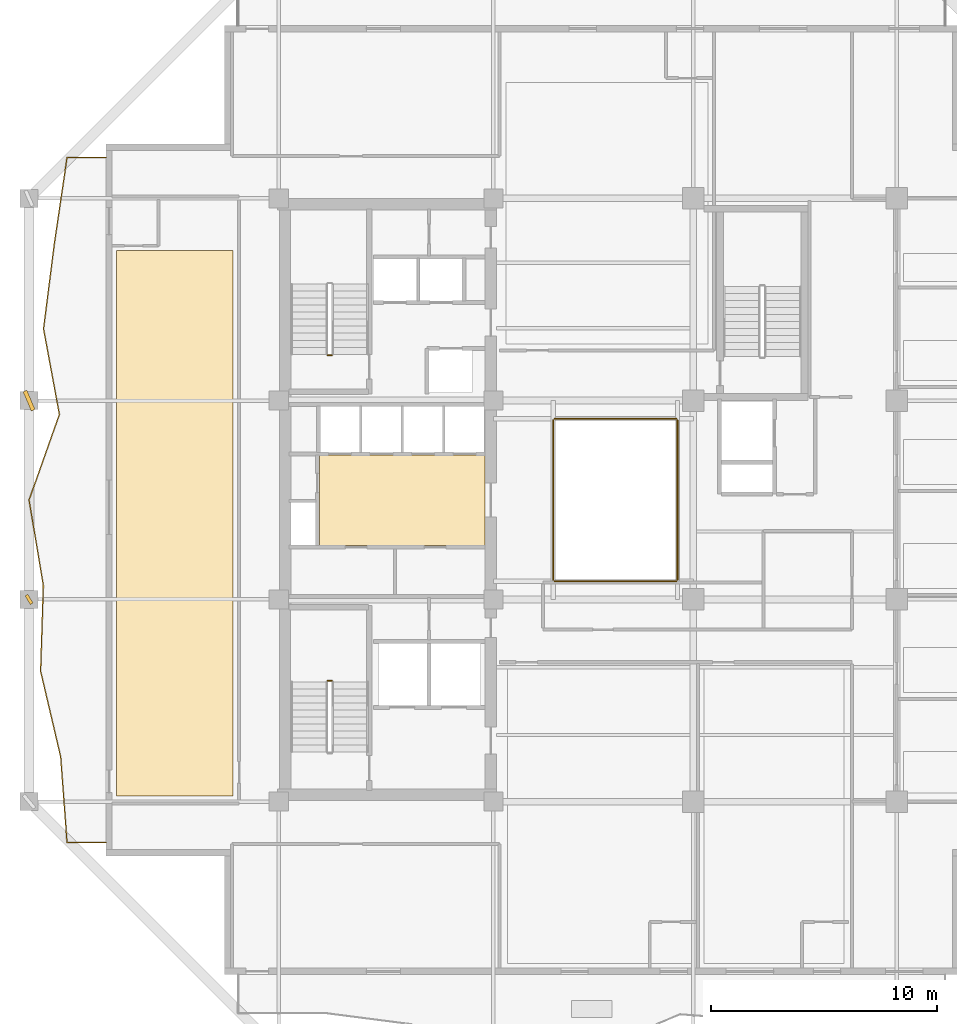
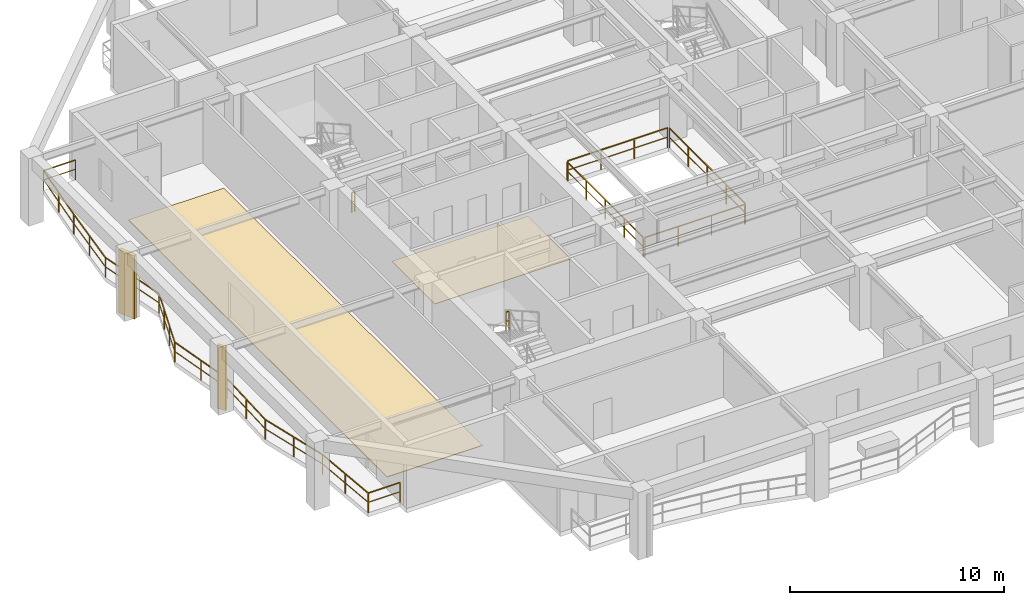
# One storey, part 9 of 13: 7 railings, 2 coverings, 2 shading devices.
"""IFC4 building model written with IfcOpenShell, lengths in metres."""

from ifc_helpers import new_model, si_unit, direction, frame, origin, origin_2d, place, context, subcontext, project, spatial, polyline, rectangle, outline, extrude, material, layer, layer_set, type_object, element, save


model = new_model("IFC4")

# Units and contexts
model_context = context("Model", 3, precision=1e-05, world=origin(), true_north=direction((0.0, 1.0)))
body_context = subcontext(model_context, "Body", "Model", "MODEL_VIEW")
ifc_project = project(units=[si_unit("LENGTHUNIT", "METRE"), si_unit("AREAUNIT", "SQUARE_METRE"), si_unit("VOLUMEUNIT", "CUBIC_METRE"), si_unit("PLANEANGLEUNIT", "RADIAN"), si_unit("MASSUNIT", "GRAM", prefix="KILO")], contexts=[model_context])

# Site, building, storey
site_placement = place(None, origin())
site = spatial("IfcSite", under=ifc_project, at=site_placement, CompositionType="ELEMENT")
building_placement = place(site_placement, origin())
building = spatial("IfcBuilding", under=site, at=building_placement, Name="Kundavana Baori Tower", CompositionType="ELEMENT")
storey_placement = place(building_placement, frame((0.0, 0.0, 188.699951171875)))
storey = spatial("IfcBuildingStorey", under=building, at=storey_placement, Name="L46", CompositionType="ELEMENT", Elevation=188.699951171875)

# Coverings
ifc_material_1 = material(Name="Honed Kota Stone and Terrazzo Flooring", Category="masonry")
ifc_layer_1 = layer(ifc_material_1, 0.0400390625, Name="COV-FLR-TERR-40")
ifc_layer_set_1 = layer_set([ifc_layer_1], Name="Honed Kota Stone and Terrazzo Flooring")
covering_type_1 = type_object("IfcCoveringType", Name="COV-FLR-TERR-40", PredefinedType="FLOORING", material=ifc_layer_set_1)
covering_1_placement = place(storey_placement, origin())
element("IfcCovering", 1, at=covering_1_placement, inside=storey, type_object=covering_type_1, Name="L46 Room Finished Stone Flooring 1", PredefinedType="FLOORING", context=body_context, shape_type="SweptSolid", body=[
    extrude(outline(polyline([(8.280029296875, 15.5), (13.419921875, 15.5), (13.419921875, 39.64990234375), (8.280029296875, 39.64990234375), (8.280029296875, 15.5)])), origin(), (0.0, 0.0, 1.0), 0.0400390625),
])
ifc_material_2 = material(Name="Honed Kota Stone and Terrazzo Flooring", Category="masonry")
ifc_layer_2 = layer(ifc_material_2, 0.030029296875, Name="COV-INT-FLR")
ifc_layer_set_2 = layer_set([ifc_layer_2], Name="Honed Kota Stone and Terrazzo Flooring")
covering_type_2 = type_object("IfcCoveringType", Name="COV-INT-FLR", PredefinedType="FLOORING", material=ifc_layer_set_2)
covering_2_placement = place(storey_placement, origin())
element("IfcCovering", 2, at=covering_2_placement, inside=storey, type_object=covering_type_2, Name="L46 Core Lift Lobby Kota Stone Flooring", PredefinedType="FLOORING", context=body_context, shape_type="SweptSolid", body=[
    extrude(outline(polyline([(17.25, 26.580078125), (24.580078125, 26.580078125), (24.580078125, 30.60009765625), (17.25, 30.60009765625), (17.25, 26.580078125)])), origin(), (0.0, 0.0, 1.0), 0.030029296875),
])

# Railings
ifc_material_3 = material(Name="Architectural Patinated Bronze Metalwork")
railing_type_1 = type_object("IfcRailingType", Name="RL-BAL-1150", PredefinedType="BALUSTRADE", material=ifc_material_3)
railing_1_placement = place(storey_placement, frame((7.800048828125, 13.449951171875, 0.0)))
element("IfcRailing", 3, at=railing_1_placement, inside=storey, type_object=railing_type_1, Name="L46 Loggia Balcony Balustrade W", PredefinedType="BALUSTRADE", context=body_context, shape_type="SweptSolid", body=[
    extrude(rectangle(XDim=0.048095703125, YDim=0.048095703125, at=origin_2d()), frame((0.0, 0.0, 1.1259765625), z_axis=(-1.0, 0.0, 0.0), x_axis=(0.0, -1.0, 0.0)), (0.0, 0.0, 1.0), 1.719970703125),
    extrude(rectangle(XDim=0.03125, YDim=0.03125, at=origin_2d()), frame((0.0, 0.0, 0.597900390625), z_axis=(-1.0, 0.0, 0.0), x_axis=(0.0, -1.0, 0.0)), (0.0, 0.0, 1.0), 1.719970703125),
    extrude(rectangle(XDim=0.048095703125, YDim=0.048095703125, at=origin_2d()), frame((-1.719970703125, 0.0, 1.1259765625), z_axis=(-0.07448956293, 0.997221793291, 0.0), x_axis=(-0.997221793291, -0.07448956293, 0.0)), (0.0, 0.0, 1.0), 3.798583984375),
    extrude(rectangle(XDim=0.03125, YDim=0.03125, at=origin_2d()), frame((-1.719970703125, 0.0, 0.597900390625), z_axis=(-0.07448956293, 0.997221793291, 0.0), x_axis=(-0.997221793291, -0.07448956293, 0.0)), (0.0, 0.0, 1.0), 3.798583984375),
    extrude(rectangle(XDim=0.048095703125, YDim=0.048095703125, at=origin_2d()), frame((-2.0029296875, 3.7880859375, 1.1259765625), z_axis=(-0.228346574312, 0.973579910434, 0.0), x_axis=(-0.973579910434, -0.228346574312, 0.0)), (0.0, 0.0, 1.0), 3.8896484375),
    extrude(rectangle(XDim=0.03125, YDim=0.03125, at=origin_2d()), frame((-2.0029296875, 3.7880859375, 0.597900390625), z_axis=(-0.228346574312, 0.973579910434, 0.0), x_axis=(-0.973579910434, -0.228346574312, 0.0)), (0.0, 0.0, 1.0), 3.8896484375),
    extrude(rectangle(XDim=0.048095703125, YDim=0.048095703125, at=origin_2d()), frame((-2.89111328125, 7.574951171875, 1.1259765625), z_axis=(0.032216378216, 0.999480917764, 0.0), x_axis=(-0.999480917764, 0.032216378216, 0.0)), (0.0, 0.0, 1.0), 3.7890625),
    extrude(rectangle(XDim=0.03125, YDim=0.03125, at=origin_2d()), frame((-2.89111328125, 7.574951171875, 0.597900390625), z_axis=(0.032216378216, 0.999480917764, 0.0), x_axis=(-0.999480917764, 0.032216378216, 0.0)), (0.0, 0.0, 1.0), 3.7890625),
    extrude(rectangle(XDim=0.048095703125, YDim=0.048095703125, at=origin_2d()), frame((-2.76904296875, 11.362060546875, 1.1259765625), z_axis=(-0.164337131822, 0.986404231086, 0.0), x_axis=(-0.986404231086, -0.164337131822, 0.0)), (0.0, 0.0, 1.0), 3.84033203125),
    extrude(rectangle(XDim=0.03125, YDim=0.03125, at=origin_2d()), frame((-2.76904296875, 11.362060546875, 0.597900390625), z_axis=(-0.164337131822, 0.986404231086, 0.0), x_axis=(-0.986404231086, -0.164337131822, 0.0)), (0.0, 0.0, 1.0), 3.84033203125),
    extrude(rectangle(XDim=0.048095703125, YDim=0.048095703125, at=origin_2d()), frame((-3.400146484375, 15.150146484375, 1.1259765625), z_axis=(0.333744790945, 0.942663468326, 0.0), x_axis=(-0.942663468326, 0.333744790945, 0.0)), (0.0, 0.0, 1.0), 4.018310546875),
    extrude(rectangle(XDim=0.03125, YDim=0.03125, at=origin_2d()), frame((-3.400146484375, 15.150146484375, 0.597900390625), z_axis=(0.333744790945, 0.942663468326, 0.0), x_axis=(-0.942663468326, 0.333744790945, 0.0)), (0.0, 0.0, 1.0), 4.018310546875),
    extrude(rectangle(XDim=0.048095703125, YDim=0.048095703125, at=origin_2d()), frame((-2.05908203125, 18.93798828125, 1.1259765625), z_axis=(-0.182236796168, 0.983254672057, 0.0), x_axis=(-0.983254672057, -0.182236796168, 0.0)), (0.0, 0.0, 1.0), 3.8515625),
    extrude(rectangle(XDim=0.03125, YDim=0.03125, at=origin_2d()), frame((-2.05908203125, 18.93798828125, 0.597900390625), z_axis=(-0.182236796168, 0.983254672057, 0.0), x_axis=(-0.983254672057, -0.182236796168, 0.0)), (0.0, 0.0, 1.0), 3.8515625),
    extrude(rectangle(XDim=0.048095703125, YDim=0.048095703125, at=origin_2d()), frame((-2.760986328125, 22.72509765625, 1.1259765625), z_axis=(0.125994516645, 0.992030937912, 0.0), x_axis=(-0.992030937912, 0.125994516645, 0.0)), (0.0, 0.0, 1.0), 3.8173828125),
    extrude(rectangle(XDim=0.03125, YDim=0.03125, at=origin_2d()), frame((-2.760986328125, 22.72509765625, 0.597900390625), z_axis=(0.125994516645, 0.992030937912, 0.0), x_axis=(-0.992030937912, 0.125994516645, 0.0)), (0.0, 0.0, 1.0), 3.8173828125),
    extrude(rectangle(XDim=0.048095703125, YDim=0.048095703125, at=origin_2d()), frame((-2.280029296875, 26.511962890625, 1.1259765625), z_axis=(0.146257514117, 0.989246551454, 0.0), x_axis=(-0.989246551454, 0.146257514117, 0.0)), (0.0, 0.0, 1.0), 3.829345703125),
    extrude(rectangle(XDim=0.03125, YDim=0.03125, at=origin_2d()), frame((-2.280029296875, 26.511962890625, 0.597900390625), z_axis=(0.146257514117, 0.989246551454, 0.0), x_axis=(-0.989246551454, 0.146257514117, 0.0)), (0.0, 0.0, 1.0), 3.829345703125),
    extrude(rectangle(XDim=0.048095703125, YDim=0.048095703125, at=origin_2d()), frame((-1.719970703125, 30.300048828125, 1.1259765625), z_axis=(1.0, 0.0, 0.0), x_axis=(0.0, 1.0, 0.0)), (0.0, 0.0, 1.0), 1.719970703125),
    extrude(rectangle(XDim=0.03125, YDim=0.03125, at=origin_2d()), frame((-1.719970703125, 30.300048828125, 0.597900390625), z_axis=(1.0, 0.0, 0.0), x_axis=(0.0, 1.0, 0.0)), (0.0, 0.0, 1.0), 1.719970703125),
    extrude(rectangle(XDim=0.0419921875, YDim=0.0419921875, at=origin_2d()), origin(), (0.0, 0.0, 1.0), 1.101806640625),
    extrude(rectangle(XDim=0.0419921875, YDim=0.0419921875, at=origin_2d()), frame((-1.719970703125, 0.0, 0.0)), (0.0, 0.0, 1.0), 1.101806640625),
    extrude(rectangle(XDim=0.0419921875, YDim=0.0419921875, at=origin_2d()), frame((-1.861328125, 1.89404296875, 0.0)), (0.0, 0.0, 1.0), 1.101806640625),
    extrude(rectangle(XDim=0.0419921875, YDim=0.0419921875, at=origin_2d()), frame((-2.0029296875, 3.7880859375, 0.0)), (0.0, 0.0, 1.0), 1.101806640625),
    extrude(rectangle(XDim=0.0419921875, YDim=0.0419921875, at=origin_2d()), frame((-2.447021484375, 5.681640625, 0.0)), (0.0, 0.0, 1.0), 1.101806640625),
    extrude(rectangle(XDim=0.0419921875, YDim=0.0419921875, at=origin_2d()), frame((-2.89111328125, 7.574951171875, 0.0)), (0.0, 0.0, 1.0), 1.101806640625),
    extrude(rectangle(XDim=0.0419921875, YDim=0.0419921875, at=origin_2d()), frame((-2.830078125, 9.468505859375, 0.0)), (0.0, 0.0, 1.0), 1.101806640625),
    extrude(rectangle(XDim=0.0419921875, YDim=0.0419921875, at=origin_2d()), frame((-2.76904296875, 11.362060546875, 0.0)), (0.0, 0.0, 1.0), 1.101806640625),
    extrude(rectangle(XDim=0.0419921875, YDim=0.0419921875, at=origin_2d()), frame((-3.08447265625, 13.256103515625, 0.0)), (0.0, 0.0, 1.0), 1.101806640625),
    extrude(rectangle(XDim=0.0419921875, YDim=0.0419921875, at=origin_2d()), frame((-3.400146484375, 15.150146484375, 0.0)), (0.0, 0.0, 1.0), 1.101806640625),
    extrude(rectangle(XDim=0.0419921875, YDim=0.0419921875, at=origin_2d()), frame((-2.953125, 16.412841796875, 0.0)), (0.0, 0.0, 1.0), 1.101806640625),
    extrude(rectangle(XDim=0.0419921875, YDim=0.0419921875, at=origin_2d()), frame((-2.506103515625, 17.67529296875, 0.0)), (0.0, 0.0, 1.0), 1.101806640625),
    extrude(rectangle(XDim=0.0419921875, YDim=0.0419921875, at=origin_2d()), frame((-2.05908203125, 18.93798828125, 0.0)), (0.0, 0.0, 1.0), 1.101806640625),
    extrude(rectangle(XDim=0.0419921875, YDim=0.0419921875, at=origin_2d()), frame((-2.41015625, 20.83154296875, 0.0)), (0.0, 0.0, 1.0), 1.101806640625),
    extrude(rectangle(XDim=0.0419921875, YDim=0.0419921875, at=origin_2d()), frame((-2.760986328125, 22.72509765625, 0.0)), (0.0, 0.0, 1.0), 1.101806640625),
    extrude(rectangle(XDim=0.0419921875, YDim=0.0419921875, at=origin_2d()), frame((-2.5205078125, 24.61865234375, 0.0)), (0.0, 0.0, 1.0), 1.101806640625),
    extrude(rectangle(XDim=0.0419921875, YDim=0.0419921875, at=origin_2d()), frame((-2.280029296875, 26.511962890625, 0.0)), (0.0, 0.0, 1.0), 1.101806640625),
    extrude(rectangle(XDim=0.0419921875, YDim=0.0419921875, at=origin_2d()), frame((-2.0, 28.406005859375, 0.0)), (0.0, 0.0, 1.0), 1.101806640625),
    extrude(rectangle(XDim=0.0419921875, YDim=0.0419921875, at=origin_2d()), frame((-1.719970703125, 30.300048828125, 0.0)), (0.0, 0.0, 1.0), 1.101806640625),
    extrude(rectangle(XDim=0.0419921875, YDim=0.0419921875, at=origin_2d()), frame((0.0, 30.300048828125, 0.0)), (0.0, 0.0, 1.0), 1.101806640625),
])
ifc_material_4 = material(Name="Architectural Patinated Bronze Metalwork")
railing_type_2 = type_object("IfcRailingType", Name="RL-GRD-1150", PredefinedType="GUARDRAIL", material=ifc_material_4)
for number, where, name in (
    (4, (17.7900390625, 20.60009765625, 1.925048828125), "L46 ST1 stair guard 2"),
    (5, (17.7900390625, 35.0, 0.0), "L46 ST2 stair guard 4"),
):
    element("IfcRailing", number, at=place(storey_placement, frame(where)), inside=storey, type_object=railing_type_2, Name=name, PredefinedType="GUARDRAIL", context=body_context, shape_type="SweptSolid", body=[
        extrude(rectangle(XDim=0.048095703125, YDim=0.048095703125, at=origin_2d()), frame((0.0, 0.0, 1.1259765625), z_axis=(-1.0, 0.0, 0.0), x_axis=(0.0, -1.0, 0.0)), (0.0, 0.0, 1.0), 0.16015625),
        extrude(rectangle(XDim=0.03125, YDim=0.03125, at=origin_2d()), frame((0.0, 0.0, 0.597900390625), z_axis=(-1.0, 0.0, 0.0), x_axis=(0.0, -1.0, 0.0)), (0.0, 0.0, 1.0), 0.16015625),
        extrude(rectangle(XDim=0.0419921875, YDim=0.0419921875, at=origin_2d()), origin(), (0.0, 0.0, 1.0), 1.101806640625),
        extrude(rectangle(XDim=0.0419921875, YDim=0.0419921875, at=origin_2d()), frame((-0.16015625, 0.0, 0.0)), (0.0, 0.0, 1.0), 1.101806640625),
    ])
railing_2_placement = place(storey_placement, frame((27.659912109375, 25.0, 0.0)))
element("IfcRailing", 6, at=railing_2_placement, inside=storey, type_object=railing_type_2, Name="L46 Atrium Void Perimeter Guardrail S", PredefinedType="GUARDRAIL", context=body_context, shape_type="SweptSolid", body=[
    extrude(rectangle(XDim=0.048095703125, YDim=0.048095703125, at=origin_2d()), frame((0.0, 0.0, 1.1259765625), z_axis=(1.0, 0.0, 0.0), x_axis=(0.0, 1.0, 0.0)), (0.0, 0.0, 1.0), 5.380126953125),
    extrude(rectangle(XDim=0.03125, YDim=0.03125, at=origin_2d()), frame((0.0, 0.0, 0.597900390625), z_axis=(1.0, 0.0, 0.0), x_axis=(0.0, 1.0, 0.0)), (0.0, 0.0, 1.0), 5.380126953125),
    extrude(rectangle(XDim=0.0419921875, YDim=0.0419921875, at=origin_2d()), origin(), (0.0, 0.0, 1.0), 1.101806640625),
    extrude(rectangle(XDim=0.0419921875, YDim=0.0419921875, at=origin_2d()), frame((1.79345703125, 0.0, 0.0)), (0.0, 0.0, 1.0), 1.101806640625),
    extrude(rectangle(XDim=0.0419921875, YDim=0.0419921875, at=origin_2d()), frame((3.586669921875, 0.0, 0.0)), (0.0, 0.0, 1.0), 1.101806640625),
    extrude(rectangle(XDim=0.0419921875, YDim=0.0419921875, at=origin_2d()), frame((5.380126953125, 0.0, 0.0)), (0.0, 0.0, 1.0), 1.101806640625),
])
railing_3_placement = place(storey_placement, frame((33.10009765625, 25.06005859375, 0.0)))
element("IfcRailing", 7, at=railing_3_placement, inside=storey, type_object=railing_type_2, Name="L46 Atrium Void Perimeter Guardrail E", PredefinedType="GUARDRAIL", context=body_context, shape_type="SweptSolid", body=[
    extrude(rectangle(XDim=0.048095703125, YDim=0.048095703125, at=origin_2d()), frame((0.0, 0.0, 1.1259765625), z_axis=(0.0, 1.0, 0.0), x_axis=(-1.0, 0.0, 0.0)), (0.0, 0.0, 1.0), 7.079833984375),
    extrude(rectangle(XDim=0.03125, YDim=0.03125, at=origin_2d()), frame((0.0, 0.0, 0.597900390625), z_axis=(0.0, 1.0, 0.0), x_axis=(-1.0, 0.0, 0.0)), (0.0, 0.0, 1.0), 7.079833984375),
    extrude(rectangle(XDim=0.0419921875, YDim=0.0419921875, at=origin_2d()), origin(), (0.0, 0.0, 1.0), 1.101806640625),
    extrude(rectangle(XDim=0.0419921875, YDim=0.0419921875, at=origin_2d()), frame((0.0, 1.77001953125, 0.0)), (0.0, 0.0, 1.0), 1.101806640625),
    extrude(rectangle(XDim=0.0419921875, YDim=0.0419921875, at=origin_2d()), frame((0.0, 3.5400390625, 0.0)), (0.0, 0.0, 1.0), 1.101806640625),
    extrude(rectangle(XDim=0.0419921875, YDim=0.0419921875, at=origin_2d()), frame((0.0, 5.309814453125, 0.0)), (0.0, 0.0, 1.0), 1.101806640625),
    extrude(rectangle(XDim=0.0419921875, YDim=0.0419921875, at=origin_2d()), frame((0.0, 7.079833984375, 0.0)), (0.0, 0.0, 1.0), 1.101806640625),
])
railing_4_placement = place(storey_placement, frame((33.0400390625, 32.199951171875, 0.0)))
element("IfcRailing", 8, at=railing_4_placement, inside=storey, type_object=railing_type_2, Name="L46 Atrium Void Perimeter Guardrail N", PredefinedType="GUARDRAIL", context=body_context, shape_type="SweptSolid", body=[
    extrude(rectangle(XDim=0.048095703125, YDim=0.048095703125, at=origin_2d()), frame((0.0, 0.0, 1.1259765625), z_axis=(-1.0, 0.0, 0.0), x_axis=(0.0, -1.0, 0.0)), (0.0, 0.0, 1.0), 5.380126953125),
    extrude(rectangle(XDim=0.03125, YDim=0.03125, at=origin_2d()), frame((0.0, 0.0, 0.597900390625), z_axis=(-1.0, 0.0, 0.0), x_axis=(0.0, -1.0, 0.0)), (0.0, 0.0, 1.0), 5.380126953125),
    extrude(rectangle(XDim=0.0419921875, YDim=0.0419921875, at=origin_2d()), origin(), (0.0, 0.0, 1.0), 1.101806640625),
    extrude(rectangle(XDim=0.0419921875, YDim=0.0419921875, at=origin_2d()), frame((-1.79345703125, 0.0, 0.0)), (0.0, 0.0, 1.0), 1.101806640625),
    extrude(rectangle(XDim=0.0419921875, YDim=0.0419921875, at=origin_2d()), frame((-3.586669921875, 0.0, 0.0)), (0.0, 0.0, 1.0), 1.101806640625),
    extrude(rectangle(XDim=0.0419921875, YDim=0.0419921875, at=origin_2d()), frame((-5.380126953125, 0.0, 0.0)), (0.0, 0.0, 1.0), 1.101806640625),
])
railing_5_placement = place(storey_placement, frame((27.60009765625, 32.139892578125, 0.0)))
element("IfcRailing", 9, at=railing_5_placement, inside=storey, type_object=railing_type_2, Name="L46 Atrium Void Perimeter Guardrail W", PredefinedType="GUARDRAIL", context=body_context, shape_type="SweptSolid", body=[
    extrude(rectangle(XDim=0.048095703125, YDim=0.048095703125, at=origin_2d()), frame((0.0, 0.0, 1.1259765625), z_axis=(0.0, -1.0, 0.0), x_axis=(1.0, 0.0, 0.0)), (0.0, 0.0, 1.0), 7.079833984375),
    extrude(rectangle(XDim=0.03125, YDim=0.03125, at=origin_2d()), frame((0.0, 0.0, 0.597900390625), z_axis=(0.0, -1.0, 0.0), x_axis=(1.0, 0.0, 0.0)), (0.0, 0.0, 1.0), 7.079833984375),
    extrude(rectangle(XDim=0.0419921875, YDim=0.0419921875, at=origin_2d()), origin(), (0.0, 0.0, 1.0), 1.101806640625),
    extrude(rectangle(XDim=0.0419921875, YDim=0.0419921875, at=origin_2d()), frame((0.0, -1.77001953125, 0.0)), (0.0, 0.0, 1.0), 1.101806640625),
    extrude(rectangle(XDim=0.0419921875, YDim=0.0419921875, at=origin_2d()), frame((0.0, -3.5400390625, 0.0)), (0.0, 0.0, 1.0), 1.101806640625),
    extrude(rectangle(XDim=0.0419921875, YDim=0.0419921875, at=origin_2d()), frame((0.0, -5.309814453125, 0.0)), (0.0, 0.0, 1.0), 1.101806640625),
    extrude(rectangle(XDim=0.0419921875, YDim=0.0419921875, at=origin_2d()), frame((0.0, -7.079833984375, 0.0)), (0.0, 0.0, 1.0), 1.101806640625),
])

# Shading devices
ifc_material_5 = material(Name="Red-Buff Dholpur Sandstone Cladding on Concrete C40/50", Category="masonry")
shading_device_type_1 = type_object("IfcShadingDeviceType", Name="SHD-FIN-920", PredefinedType="JALOUSIE", material=ifc_material_5)
shading_device_1_placement = place(storey_placement, frame((4.39990234375, 33.0, 0.0), z_axis=(0.0, 0.0, 1.0), x_axis=(0.920163525759, 0.391534271632, 0.0)))
element("IfcShadingDevice", 10, at=shading_device_1_placement, inside=storey, type_object=shading_device_type_1, Name="L46 Sweeping Dholpur Sandstone Facade Fin 7", PredefinedType="JALOUSIE", context=body_context, shape_type="SweptSolid", body=[
    extrude(rectangle(XDim=0.179931640625, YDim=0.919921875, at=origin_2d()), origin(), (0.0, 0.0, 1.0), 3.60009765625),
])
ifc_material_6 = material(Name="Architectural Patinated Bronze Metalwork")
shading_device_type_2 = type_object("IfcShadingDeviceType", Name="SHD-LOUV-450", PredefinedType="SHUTTER", material=ifc_material_6)
shading_device_2_placement = place(storey_placement, frame((4.39990234375, 24.199951171875, 0.0), z_axis=(0.0, 0.0, 1.0), x_axis=(0.857975262798, 0.513691004814, 0.0)))
element("IfcShadingDevice", 11, at=shading_device_2_placement, inside=storey, type_object=shading_device_type_2, Name="L46 Sweeping Dholpur Sandstone Facade Fin 6", PredefinedType="SHUTTER", context=body_context, shape_type="SweptSolid", body=[
    extrude(rectangle(XDim=0.139892578125, YDim=0.449951171875, at=origin_2d()), origin(), (0.0, 0.0, 1.0), 3.60009765625),
])

save(model, "model.ifc")
